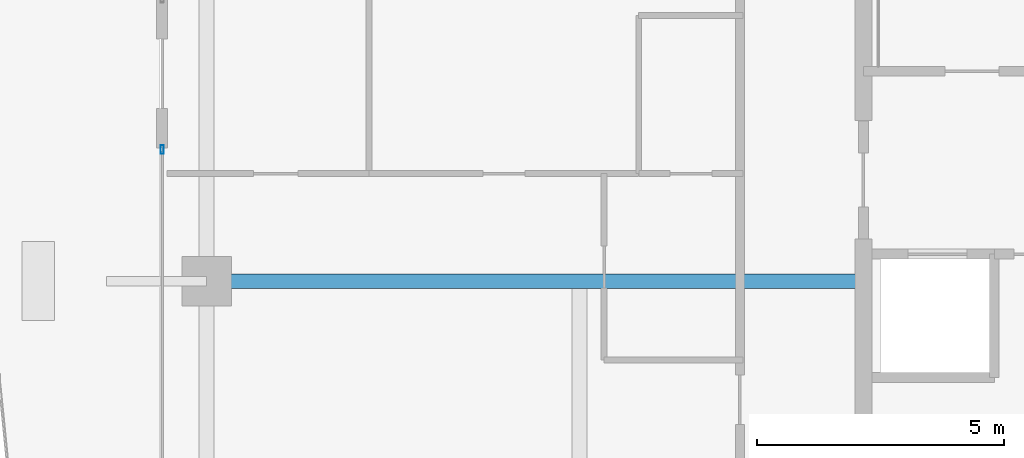
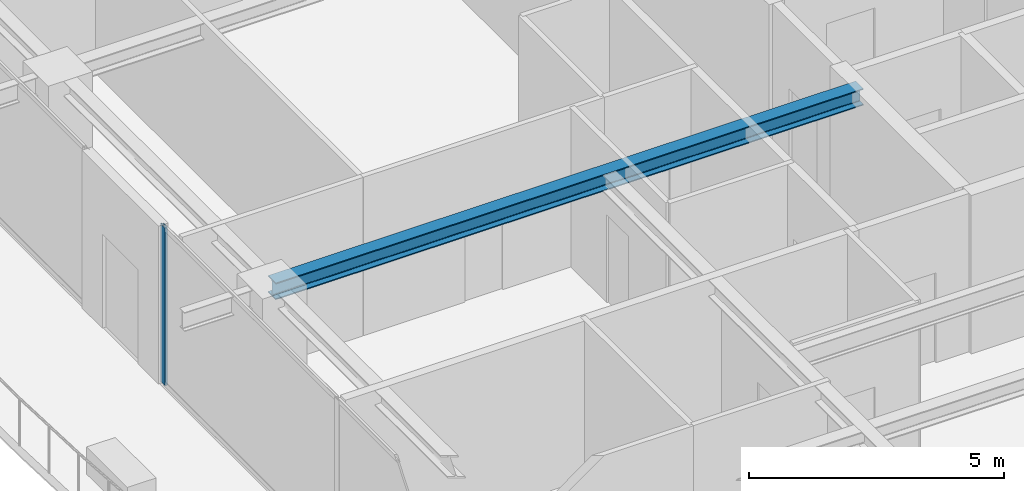
# One storey, part 8 of 38: 1 beam, 1 member, 1 element without a shape of its own.
"""IFC4 building model written with IfcOpenShell, lengths in metres."""

from ifc_helpers import new_model, si_unit, direction, frame, origin, origin_2d, place, context, subcontext, project, spatial, hollow_rectangle, i_section, extrude, source, transform, mapped, material, layer, layer_set, material_profile, profile_set, type_object, element, aggregate, save


model = new_model("IFC4")

# Units and contexts
model_context = context("Model", 3, precision=1e-05, world=origin(), true_north=direction((0.0, 1.0)))
body_context = subcontext(model_context, "Body", "Model", "MODEL_VIEW")
ifc_project = project(units=[si_unit("LENGTHUNIT", "METRE"), si_unit("AREAUNIT", "SQUARE_METRE"), si_unit("VOLUMEUNIT", "CUBIC_METRE"), si_unit("PLANEANGLEUNIT", "RADIAN"), si_unit("MASSUNIT", "GRAM", prefix="KILO")], contexts=[model_context])

# Site, building, storey
site_placement = place(None, origin())
site = spatial("IfcSite", under=ifc_project, at=site_placement, CompositionType="ELEMENT")
building_placement = place(site_placement, origin())
building = spatial("IfcBuilding", under=site, at=building_placement, Name="Serunith Strait Residences", CompositionType="ELEMENT")
storey_placement = place(building_placement, frame((0.0, 0.0, 321.800048828125)))
storey = spatial("IfcBuildingStorey", under=building, at=storey_placement, Name="L80", CompositionType="ELEMENT", Elevation=321.800048828125)

# Beam
ifc_material_1 = material(Name="Steel S355J2", Category="steel")
ifc_material_profile_1 = material_profile(ifc_material_1, i_section(OverallWidth=0.300048828125, OverallDepth=0.39990234375, WebThickness=0.013427734375, FlangeThickness=0.02392578125, FilletRadius=0.027099609375, at=origin_2d()), Name="HEB 400")
ifc_profile_set_1 = profile_set([ifc_material_profile_1], Name="Steel S355J2")
beam_type = type_object("IfcBeamType", Name="BM-HEB400", PredefinedType="BEAM", material=ifc_profile_set_1)
shared_shape_1 = source(origin(), body_context, "Body", "SweptSolid", [
    extrude(i_section(OverallWidth=0.300048828125, OverallDepth=0.39990234375, WebThickness=0.013427734375, FlangeThickness=0.02392578125, FilletRadius=0.027099609375, at=origin_2d()), origin(), (0.0, 0.0, 1.0), 13.2998046875),
])
beam_placement = place(storey_placement, frame((23.39990234375, 21.0, 3.5869140625), z_axis=(-1.0, 0.0, 0.0), x_axis=(0.0, -1.0, 0.0)))
element("IfcBeam", 1, at=beam_placement, inside=storey, type_object=beam_type, Name="L80 Primary Floor Girder TC-W2", PredefinedType="BEAM", context=body_context, shape_type="MappedRepresentation", body=[
    mapped(shared_shape_1, transform((0.0, 0.0, 0.0), scale=1.0)),
])

# Curtain wall, member
ifc_material_2 = material(Name="Brushed Stainless-Silver Aluminium", Category="aluminium")
ifc_layer = layer(ifc_material_2, 0.199951171875, Name="Brushed Stainless-Silver Aluminium")
ifc_layer_set = layer_set([ifc_layer], Name="Brushed Stainless-Silver Aluminium")
curtain_wall_type = type_object("IfcCurtainWallType", Name="CW-SYS5", PredefinedType="NOTDEFINED", material=ifc_layer_set)
curtain_wall_placement = place(storey_placement, origin())
curtain_wall = element("IfcCurtainWall", 2, at=curtain_wall_placement, inside=storey, type_object=curtain_wall_type, Name="L80 W Unitised Fritted Curtain Wall", PredefinedType="NOTDEFINED")
ifc_material_profile_2 = material_profile(ifc_material_2, hollow_rectangle(XDim=0.06494140625, YDim=0.179931640625, WallThickness=0.00341796875, InnerFilletRadius=0.00537109375, OuterFilletRadius=0.0087890625, at=origin_2d()), Name="ALU 180x65x3.5")
ifc_profile_set_2 = profile_set([ifc_material_profile_2], Name="Brushed Stainless-Silver Aluminium")
member_type = type_object("IfcMemberType", Name="CW-SYS5-MULL", PredefinedType="MULLION", material=ifc_profile_set_2)
shared_shape_2 = source(origin(), body_context, "Body", "SweptSolid", [
    extrude(hollow_rectangle(XDim=0.06494140625, YDim=0.179931640625, WallThickness=0.00341796875, InnerFilletRadius=0.00537109375, OuterFilletRadius=0.0087890625, at=origin_2d()), origin(), (0.0, 0.0, 1.0), 3.77490234375),
])
member_placement = place(storey_placement, frame((9.199951171875, 23.66748046875, 0.0), z_axis=(0.0, 0.0, 1.0), x_axis=(1.0, 0.0, 0.0)))
member = element("IfcMember", 3, at=member_placement, type_object=member_type, Name="CW-5 mullion 1", PredefinedType="MULLION", context=body_context, shape_type="MappedRepresentation", body=[
    mapped(shared_shape_2, transform((0.0, 0.0, 0.0), scale=1.0)),
])
aggregate(curtain_wall, [member])

save(model, "model.ifc")
